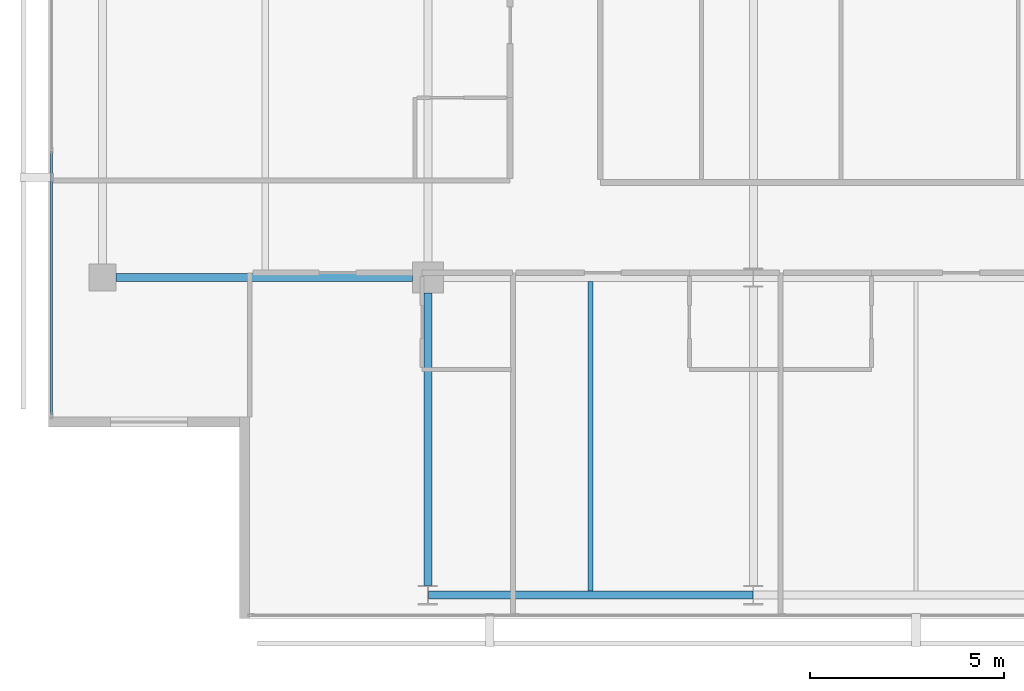
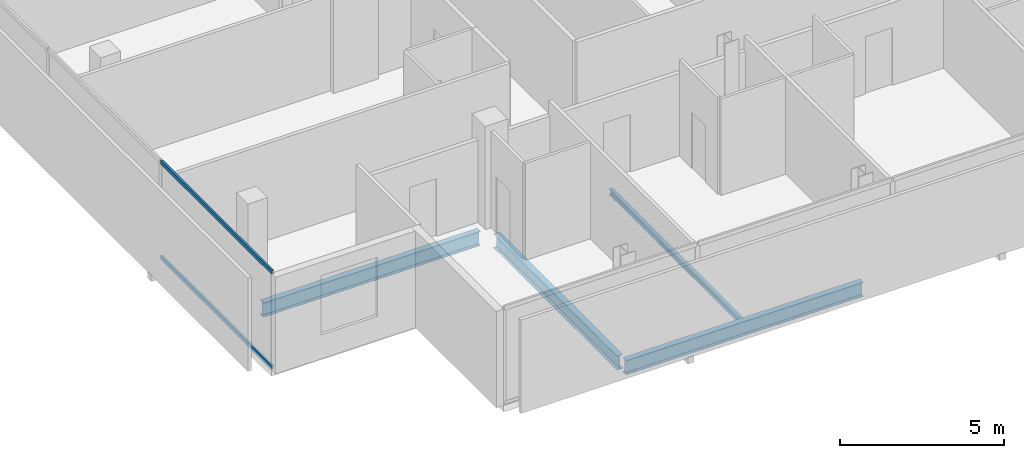
# One storey, part 3 of 25: 4 beams, 2 members, 1 element without a shape of its own.
"""IFC4 building model written with IfcOpenShell, lengths in metres."""

from ifc_helpers import new_model, si_unit, direction, frame, origin, origin_2d, place, context, subcontext, project, spatial, hollow_rectangle, i_section, extrude, material, layer, layer_set, material_profile, profile_set, type_object, element, aggregate, save


model = new_model("IFC4")

# Units and contexts
model_context = context("Model", 3, precision=1e-05, world=origin(), true_north=direction((0.0, 1.0)))
body_context = subcontext(model_context, "Body", "Model", "MODEL_VIEW")
ifc_project = project(units=[si_unit("LENGTHUNIT", "METRE"), si_unit("AREAUNIT", "SQUARE_METRE"), si_unit("VOLUMEUNIT", "CUBIC_METRE"), si_unit("PLANEANGLEUNIT", "RADIAN"), si_unit("MASSUNIT", "GRAM", prefix="KILO")], contexts=[model_context])

# Site, building, storey
site_placement = place(None, origin())
site = spatial("IfcSite", under=ifc_project, at=site_placement, CompositionType="ELEMENT")
building_placement = place(site_placement, origin())
building = spatial("IfcBuilding", under=site, at=building_placement, Name="Maruvema Waterfront Hotel and Observation Tower", CompositionType="ELEMENT")
storey_placement = place(building_placement, frame((0.0, 0.0, 262.5)))
storey = spatial("IfcBuildingStorey", under=building, at=storey_placement, Name="L64", CompositionType="ELEMENT", Elevation=262.5)

# Curtain wall, members
ifc_material_1 = material(Name="Anodised bronze aluminium and solar-control low-E IGU", Category="aluminium")
ifc_layer = layer(ifc_material_1, 0.159912109375, Name="Zone 3 Champagne Inner Thermal Curtain Wall System CW-04")
ifc_layer_set = layer_set([ifc_layer], Name="Anodised bronze aluminium and solar-control low-E IGU")
curtain_wall_type = type_object("IfcCurtainWallType", Name="Zone 3 Champagne Inner Thermal Curtain Wall System CW-04", PredefinedType="USERDEFINED", material=ifc_layer_set)
curtain_wall_placement = place(storey_placement, origin())
curtain_wall = element("IfcCurtainWall", 1, at=curtain_wall_placement, inside=storey, type_object=curtain_wall_type, Name="L64 Curtain Wall CW-L64-W", ObjectType="UNITISED CURTAIN WALL", PredefinedType="USERDEFINED")
ifc_material_2 = material(Name="Anodised architectural bronze aluminium", Category="aluminium")
ifc_material_profile_1 = material_profile(ifc_material_2, hollow_rectangle(XDim=0.070068359375, YDim=0.14990234375, WallThickness=0.00390625, at=origin_2d()), Name="ALU-T70x150")
ifc_profile_set_1 = profile_set([ifc_material_profile_1], Name="Anodised architectural bronze aluminium")
member_type = type_object("IfcMemberType", Name="Curtain Wall Horizontal Transom ALU-T70x150", PredefinedType="USERDEFINED", material=ifc_profile_set_1)
member_1_placement = place(storey_placement, frame((15.47998046875, 21.25, 0.030029296875), z_axis=(0.0, -1.0, 0.0), x_axis=(1.0, 0.0, 0.0)))
member_1 = element("IfcMember", 2, at=member_1_placement, type_object=member_type, Name="CW-04 transom 5.1", ObjectType="TRANSOM", PredefinedType="USERDEFINED", context=body_context, shape_type="SweptSolid", body=[
    extrude(hollow_rectangle(XDim=0.070068359375, YDim=0.14990234375, WallThickness=0.00390625, at=origin_2d()), origin(), (0.0, 0.0, 1.0), 6.7900390625),
])
member_2_placement = place(storey_placement, frame((15.47998046875, 21.25, 3.580078125), z_axis=(0.0, -1.0, 0.0), x_axis=(1.0, 0.0, 0.0)))
member_2 = element("IfcMember", 3, at=member_2_placement, type_object=member_type, Name="CW-04 transom 5.2", ObjectType="TRANSOM", PredefinedType="USERDEFINED", context=body_context, shape_type="SweptSolid", body=[
    extrude(hollow_rectangle(XDim=0.070068359375, YDim=0.14990234375, WallThickness=0.00390625, at=origin_2d()), origin(), (0.0, 0.0, 1.0), 6.7900390625),
])
aggregate(curtain_wall, [member_1, member_2])

# Beams
ifc_material_3 = material(Name="Steel ASTM A572 Grade 50", Category="steel")
ifc_material_profile_2 = material_profile(ifc_material_3, i_section(OverallWidth=0.208984375, OverallDepth=0.532958984375, WebThickness=0.01025390625, FlangeThickness=0.015625, FilletRadius=0.014892578125, at=origin_2d()), Name="W530x92.0")
ifc_profile_set_2 = profile_set([ifc_material_profile_2], Name="Steel ASTM A572 Grade 50")
beam_type_1 = type_object("IfcBeamType", Name="Primary Floor Girder W530x92.0", PredefinedType="BEAM", material=ifc_profile_set_2)
beam_1_placement = place(storey_placement, frame((25.2109375, 9.800048828125, -0.506591796875), z_axis=(1.0, 0.0, 0.0), x_axis=(0.0, 1.0, 0.0)))
element("IfcBeam", 4, at=beam_1_placement, inside=storey, type_object=beam_type_1, Name="L64 Floor Girder EW-01", PredefinedType="BEAM", context=body_context, shape_type="SweptSolid", body=[
    extrude(i_section(OverallWidth=0.208984375, OverallDepth=0.532958984375, WebThickness=0.01025390625, FlangeThickness=0.015625, FilletRadius=0.014892578125, at=origin_2d()), origin(), (0.0, 0.0, 1.0), 8.378173828125),
])
beam_2_placement = place(storey_placement, frame((17.14990234375, 18.0, -0.506591796875), z_axis=(1.0, 0.0, 0.0), x_axis=(0.0, 1.0, 0.0)))
element("IfcBeam", 5, at=beam_2_placement, inside=storey, type_object=beam_type_1, Name="L64 Floor Girder EW-04", PredefinedType="BEAM", context=body_context, shape_type="SweptSolid", body=[
    extrude(i_section(OverallWidth=0.208984375, OverallDepth=0.532958984375, WebThickness=0.01025390625, FlangeThickness=0.015625, FilletRadius=0.014892578125, at=origin_2d()), origin(), (0.0, 0.0, 1.0), 7.650146484375),
])
beam_3_placement = place(storey_placement, frame((25.199951171875, 10.050048828125, -0.506591796875), z_axis=(0.0, 1.0, 0.0), x_axis=(-1.0, 0.0, 0.0)))
element("IfcBeam", 6, at=beam_3_placement, inside=storey, type_object=beam_type_1, Name="L64 Floor Girder NS-04", PredefinedType="BEAM", context=body_context, shape_type="SweptSolid", body=[
    extrude(i_section(OverallWidth=0.208984375, OverallDepth=0.532958984375, WebThickness=0.01025390625, FlangeThickness=0.015625, FilletRadius=0.014892578125, at=origin_2d()), origin(), (0.0, 0.0, 1.0), 7.550048828125),
])
ifc_material_4 = material(Name="Steel ASTM A572 Grade 50", Category="steel")
ifc_material_profile_3 = material_profile(ifc_material_4, i_section(OverallWidth=0.133056640625, OverallDepth=0.20703125, WebThickness=0.005859375, FlangeThickness=0.00830078125, FilletRadius=0.010009765625, at=origin_2d()), Name="W200x26.6")
ifc_profile_set_3 = profile_set([ifc_material_profile_3], Name="Steel ASTM A572 Grade 50")
beam_type_2 = type_object("IfcBeamType", Name="Secondary Floor Joist W200x26.6", PredefinedType="JOIST", material=ifc_profile_set_3)
beam_4_placement = place(storey_placement, frame((29.39990234375, 9.904541015625, -0.343505859375), z_axis=(0.0, 1.0, 0.0), x_axis=(-1.0, 0.0, 0.0)))
element("IfcBeam", 7, at=beam_4_placement, inside=storey, type_object=beam_type_2, Name="L64 Secondary Floor Joist JS-04", PredefinedType="JOIST", context=body_context, shape_type="SweptSolid", body=[
    extrude(i_section(OverallWidth=0.133056640625, OverallDepth=0.20703125, WebThickness=0.005859375, FlangeThickness=0.00830078125, FilletRadius=0.010009765625, at=origin_2d()), origin(), (0.0, 0.0, 1.0), 7.990966796875),
])

save(model, "model.ifc")
